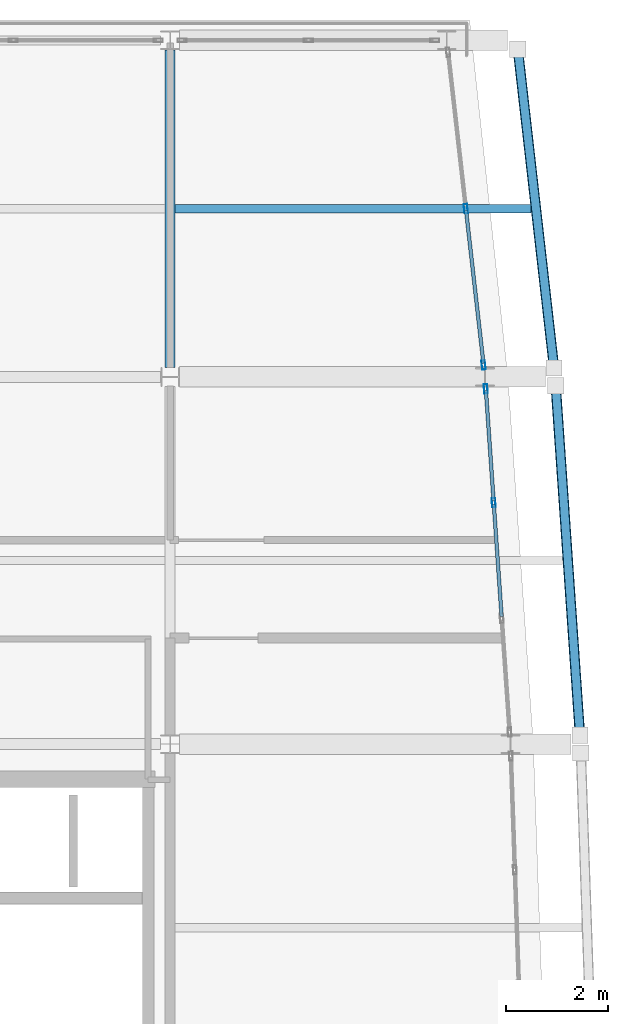
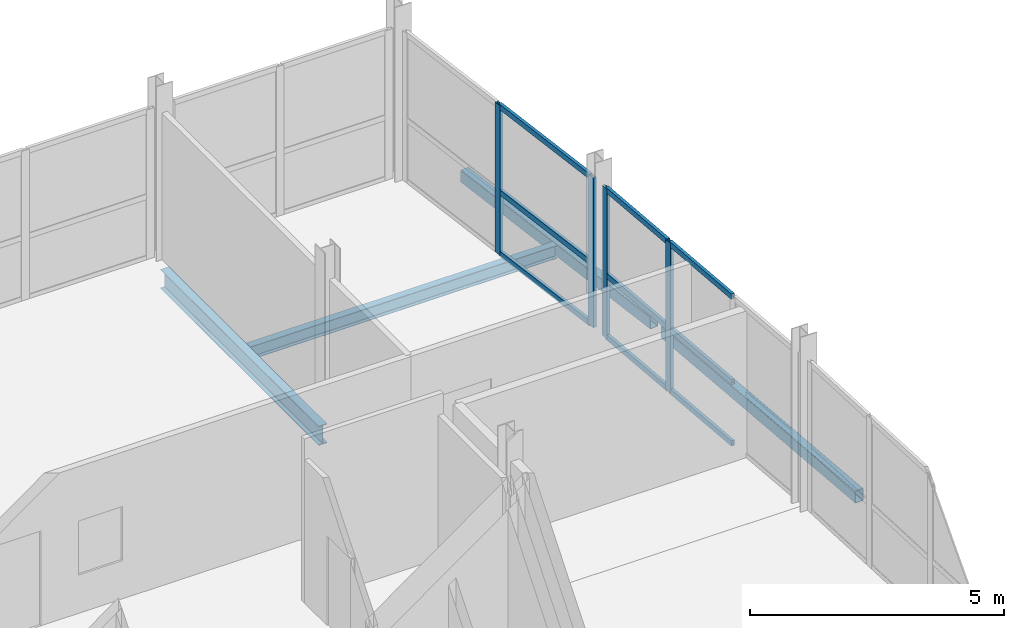
# One storey, part 9 of 19: 13 members, 4 beams, 2 elements without a shape of their own.
"""IFC4 building model written with IfcOpenShell, lengths in metres."""

from ifc_helpers import new_model, si_unit, direction, frame, origin, origin_2d, place, context, subcontext, project, spatial, hollow_rectangle, i_section, extrude, material, layer, layer_set, material_profile, profile_set, type_object, element, aggregate, save


model = new_model("IFC4")

# Units and contexts
model_context = context("Model", 3, precision=1e-05, world=origin(), true_north=direction((0.0, 1.0)))
body_context = subcontext(model_context, "Body", "Model", "MODEL_VIEW")
ifc_project = project(units=[si_unit("LENGTHUNIT", "METRE"), si_unit("AREAUNIT", "SQUARE_METRE"), si_unit("VOLUMEUNIT", "CUBIC_METRE"), si_unit("PLANEANGLEUNIT", "RADIAN"), si_unit("MASSUNIT", "GRAM", prefix="KILO")], contexts=[model_context])

# Site, building, storey
site_placement = place(None, origin())
site = spatial("IfcSite", under=ifc_project, at=site_placement, CompositionType="ELEMENT")
building_placement = place(site_placement, origin())
building = spatial("IfcBuilding", under=site, at=building_placement, Name="Quillay Park Conservatory", CompositionType="ELEMENT")
storey_placement = place(building_placement, frame((0.0, 0.0, 35.10009765625)))
storey = spatial("IfcBuildingStorey", under=building, at=storey_placement, Name="L08", CompositionType="ELEMENT", Elevation=35.10009765625)

# Beam
ifc_material_1 = material(Name="Steel ASTM A992 Grade 50", Category="steel")
ifc_material_profile_1 = material_profile(ifc_material_1, i_section(OverallWidth=0.166015625, OverallDepth=0.31298828125, WebThickness=0.006591796875, FlangeThickness=0.01123046875, FilletRadius=0.010009765625, at=origin_2d()), Name="W310x45")
ifc_profile_set_1 = profile_set([ifc_material_profile_1], Name="Steel ASTM A992 Grade 50")
beam_type_1 = type_object("IfcBeamType", Name="COMPOSITE FLOOR JOIST W310 X45", PredefinedType="JOIST", material=ifc_profile_set_1)
beam_1_placement = place(storey_placement, frame((19.845947265625, 110.10009765625, -0.37158203125), z_axis=(1.0, 0.0, 0.0), x_axis=(0.0, 1.0, 0.0)))
element("IfcBeam", 1, at=beam_1_placement, inside=storey, type_object=beam_type_1, Name="L08 beam BM-J-0650", PredefinedType="JOIST", context=body_context, shape_type="SweptSolid", body=[
    extrude(i_section(OverallWidth=0.166015625, OverallDepth=0.31298828125, WebThickness=0.006591796875, FlangeThickness=0.01123046875, FilletRadius=0.010009765625, at=origin_2d()), origin(), (0.0, 0.0, 1.0), 6.97900390625),
])

# Curtain wall, members
ifc_material_2 = material(Name="Thermally Broken Anodised Aluminium 6063-T6", Category="aluminium")
ifc_layer = layer(ifc_material_2, 0.179931640625)
ifc_layer_set = layer_set([ifc_layer], Name="UNITISED CURTAIN WALL TOWER (Thermally Broken Anodised Aluminium 6063-T6)")
curtain_wall_type = type_object("IfcCurtainWallType", Name="UNITISED CURTAIN WALL TOWER", PredefinedType="USERDEFINED", material=ifc_layer_set)
curtain_wall_1_placement = place(storey_placement, origin())
curtain_wall_1 = element("IfcCurtainWall", 2, at=curtain_wall_1_placement, inside=storey, type_object=curtain_wall_type, Name="L08 Unitised Curtain Wall 082", ObjectType="UNITISED CURTAIN WALL", PredefinedType="USERDEFINED")
ifc_material_3 = material(Name="Thermally Broken Anodised Aluminium 6063-T6", Category="aluminium")
ifc_material_profile_2 = material_profile(ifc_material_3, hollow_rectangle(XDim=0.070068359375, YDim=0.179931640625, WallThickness=0.00390625, at=origin_2d()), Name="AL70x180x4")
ifc_profile_set_2 = profile_set([ifc_material_profile_2], Name="Thermally Broken Anodised Aluminium 6063-T6")
member_type_1 = type_object("IfcMemberType", Name="CURTAIN WALL MULLION 70 X180", PredefinedType="MULLION", material=ifc_profile_set_2)
member_1_placement = place(storey_placement, frame((25.94140625, 106.565673828125, 0.0), z_axis=(0.0, 0.0, 1.0), x_axis=(0.99759835015, 0.069264217159, 0.0)))
member_1 = element("IfcMember", 3, at=member_1_placement, type_object=member_type_1, Name="CW-T1 mullion 1", PredefinedType="MULLION", context=body_context, shape_type="SweptSolid", body=[
    extrude(hollow_rectangle(XDim=0.070068359375, YDim=0.179931640625, WallThickness=0.00390625, at=origin_2d()), origin(), (0.0, 0.0, 1.0), 3.598876953125),
])
member_2_placement = place(storey_placement, frame((26.09619140625, 104.33349609375, 0.0), z_axis=(0.0, 0.0, 1.0), x_axis=(0.99759835015, 0.069264217159, 0.0)))
member_2 = element("IfcMember", 4, at=member_2_placement, type_object=member_type_1, Name="CW-T1 mullion 2", PredefinedType="MULLION", context=body_context, shape_type="SweptSolid", body=[
    extrude(hollow_rectangle(XDim=0.070068359375, YDim=0.179931640625, WallThickness=0.00390625, at=origin_2d()), origin(), (0.0, 0.0, 1.0), 3.598876953125),
])

curtain_wall_2_placement = place(storey_placement, origin())
curtain_wall_2 = element("IfcCurtainWall", 5, at=curtain_wall_2_placement, inside=storey, type_object=curtain_wall_type, Name="L08 Unitised Curtain Wall 083", ObjectType="UNITISED CURTAIN WALL", PredefinedType="USERDEFINED")
member_3_placement = place(storey_placement, frame((25.550048828125, 110.10009765625, 0.0), z_axis=(0.0, 0.0, 1.0), x_axis=(0.993605989969, 0.112903218278, 0.0)))
member_3 = element("IfcMember", 6, at=member_3_placement, type_object=member_type_1, Name="CW-T1 mullion 2", PredefinedType="MULLION", context=body_context, shape_type="SweptSolid", body=[
    extrude(hollow_rectangle(XDim=0.070068359375, YDim=0.179931640625, WallThickness=0.00390625, at=origin_2d()), origin(), (0.0, 0.0, 1.0), 3.598876953125),
])
member_4_placement = place(storey_placement, frame((25.8984375, 107.033447265625, 0.0), z_axis=(0.0, 0.0, 1.0), x_axis=(0.993605989969, 0.112903218278, 0.0)))
member_4 = element("IfcMember", 7, at=member_4_placement, type_object=member_type_1, Name="CW-T1 mullion 3", PredefinedType="MULLION", context=body_context, shape_type="SweptSolid", body=[
    extrude(hollow_rectangle(XDim=0.070068359375, YDim=0.179931640625, WallThickness=0.00390625, at=origin_2d()), origin(), (0.0, 0.0, 1.0), 3.598876953125),
])

# Member
ifc_material_4 = material(Name="Thermally Broken Anodised Aluminium 6063-T6", Category="aluminium")
ifc_material_profile_3 = material_profile(ifc_material_4, hollow_rectangle(XDim=0.070068359375, YDim=0.1298828125, WallThickness=0.003173828125, at=origin_2d()), Name="AL70x130x3.2")
ifc_profile_set_3 = profile_set([ifc_material_profile_3], Name="Thermally Broken Anodised Aluminium 6063-T6")
member_type_2 = type_object("IfcMemberType", Name="CURTAIN WALL TRANSOM 70 X130", PredefinedType="USERDEFINED", material=ifc_profile_set_3)
member_5_placement = place(storey_placement, frame((25.94384765625, 106.53076171875, 0.034912109375), z_axis=(0.069269814421, -0.997597961511, 0.0), x_axis=(0.997597961511, 0.069269814421, 0.0)))
member_5 = element("IfcMember", 8, at=member_5_placement, type_object=member_type_2, Name="CW-T1 transom 1.1", ObjectType="TRANSOM", PredefinedType="USERDEFINED", context=body_context, shape_type="SweptSolid", body=[
    extrude(hollow_rectangle(XDim=0.070068359375, YDim=0.1298828125, WallThickness=0.003173828125, at=origin_2d()), origin(), (0.0, 0.0, 1.0), 2.16748046875),
])

member_6_placement = place(storey_placement, frame((25.94384765625, 106.53076171875, 1.511474609375), z_axis=(0.069269814421, -0.997597961511, 0.0), x_axis=(0.997597961511, 0.069269814421, 0.0)))
member_6 = element("IfcMember", 9, at=member_6_placement, type_object=member_type_2, Name="CW-T1 transom 1.2", ObjectType="TRANSOM", PredefinedType="USERDEFINED", context=body_context, shape_type="SweptSolid", body=[
    extrude(hollow_rectangle(XDim=0.070068359375, YDim=0.1298828125, WallThickness=0.003173828125, at=origin_2d()), origin(), (0.0, 0.0, 1.0), 2.16748046875),
])

member_7_placement = place(storey_placement, frame((25.94384765625, 106.53076171875, 3.56396484375), z_axis=(0.069269814421, -0.997597961511, 0.0), x_axis=(0.997597961511, 0.069269814421, 0.0)))
member_7 = element("IfcMember", 10, at=member_7_placement, type_object=member_type_2, Name="CW-T1 transom 1.3", ObjectType="TRANSOM", PredefinedType="USERDEFINED", context=body_context, shape_type="SweptSolid", body=[
    extrude(hollow_rectangle(XDim=0.070068359375, YDim=0.1298828125, WallThickness=0.003173828125, at=origin_2d()), origin(), (0.0, 0.0, 1.0), 2.16748046875),
])

member_8_placement = place(storey_placement, frame((26.0986328125, 104.298583984375, 0.034912109375), z_axis=(0.069277598678, -0.997597420968, 0.0), x_axis=(0.997597420968, 0.069277598678, 0.0)))
member_8 = element("IfcMember", 11, at=member_8_placement, type_object=member_type_2, Name="CW-T1 transom 2.1", ObjectType="TRANSOM", PredefinedType="USERDEFINED", context=body_context, shape_type="SweptSolid", body=[
    extrude(hollow_rectangle(XDim=0.070068359375, YDim=0.1298828125, WallThickness=0.003173828125, at=origin_2d()), origin(), (0.0, 0.0, 1.0), 2.20263671875),
])

member_9_placement = place(storey_placement, frame((26.0986328125, 104.298583984375, 1.511474609375), z_axis=(0.069277598678, -0.997597420968, 0.0), x_axis=(0.997597420968, 0.069277598678, 0.0)))
member_9 = element("IfcMember", 12, at=member_9_placement, type_object=member_type_2, Name="CW-T1 transom 2.2", ObjectType="TRANSOM", PredefinedType="USERDEFINED", context=body_context, shape_type="SweptSolid", body=[
    extrude(hollow_rectangle(XDim=0.070068359375, YDim=0.1298828125, WallThickness=0.003173828125, at=origin_2d()), origin(), (0.0, 0.0, 1.0), 2.20263671875),
])

member_10_placement = place(storey_placement, frame((26.0986328125, 104.298583984375, 3.56396484375), z_axis=(0.069277598678, -0.997597420968, 0.0), x_axis=(0.997597420968, 0.069277598678, 0.0)))
member_10 = element("IfcMember", 13, at=member_10_placement, type_object=member_type_2, Name="CW-T1 transom 2.3", ObjectType="TRANSOM", PredefinedType="USERDEFINED", context=body_context, shape_type="SweptSolid", body=[
    extrude(hollow_rectangle(XDim=0.070068359375, YDim=0.1298828125, WallThickness=0.003173828125, at=origin_2d()), origin(), (0.0, 0.0, 1.0), 2.20263671875),
])

aggregate(curtain_wall_1, [member_1, member_2, member_5, member_6, member_7, member_8, member_9, member_10])

member_11_placement = place(storey_placement, frame((25.553955078125, 110.065185546875, 0.034912109375), z_axis=(0.112918769109, -0.993604222808, 0.0), x_axis=(0.993604222808, 0.112918769109, 0.0)))
member_11 = element("IfcMember", 14, at=member_11_placement, type_object=member_type_2, Name="CW-T1 transom 2.1", ObjectType="TRANSOM", PredefinedType="USERDEFINED", context=body_context, shape_type="SweptSolid", body=[
    extrude(hollow_rectangle(XDim=0.070068359375, YDim=0.1298828125, WallThickness=0.003173828125, at=origin_2d()), origin(), (0.0, 0.0, 1.0), 3.01611328125),
])

member_12_placement = place(storey_placement, frame((25.553955078125, 110.065185546875, 1.511474609375), z_axis=(0.112918769109, -0.993604222808, 0.0), x_axis=(0.993604222808, 0.112918769109, 0.0)))
member_12 = element("IfcMember", 15, at=member_12_placement, type_object=member_type_2, Name="CW-T1 transom 2.2", ObjectType="TRANSOM", PredefinedType="USERDEFINED", context=body_context, shape_type="SweptSolid", body=[
    extrude(hollow_rectangle(XDim=0.070068359375, YDim=0.1298828125, WallThickness=0.003173828125, at=origin_2d()), origin(), (0.0, 0.0, 1.0), 3.01611328125),
])

member_13_placement = place(storey_placement, frame((25.553955078125, 110.065185546875, 3.56396484375), z_axis=(0.112918769109, -0.993604222808, 0.0), x_axis=(0.993604222808, 0.112918769109, 0.0)))
member_13 = element("IfcMember", 16, at=member_13_placement, type_object=member_type_2, Name="CW-T1 transom 2.3", ObjectType="TRANSOM", PredefinedType="USERDEFINED", context=body_context, shape_type="SweptSolid", body=[
    extrude(hollow_rectangle(XDim=0.070068359375, YDim=0.1298828125, WallThickness=0.003173828125, at=origin_2d()), origin(), (0.0, 0.0, 1.0), 3.01611328125),
])

aggregate(curtain_wall_2, [member_3, member_4, member_11, member_12, member_13])

# Beams
ifc_material_5 = material(Name="Steel S355J2H", Category="steel")
ifc_material_profile_4 = material_profile(ifc_material_5, hollow_rectangle(XDim=0.199951171875, YDim=0.300048828125, WallThickness=0.012451171875, InnerFilletRadius=0.012451171875, OuterFilletRadius=0.02490234375, at=origin_2d()), Name="RHS300x200x12.5")
ifc_profile_set_4 = profile_set([ifc_material_profile_4], Name="Steel S355J2H")
beam_type_2 = type_object("IfcBeamType", Name="PERIMETER SPANDREL BEAM RHS300", PredefinedType="SPANDREL", material=ifc_profile_set_4)
beam_2_placement = place(storey_placement, frame((27.787109375, 99.78564453125, -0.364990234375), z_axis=(-0.069262316409, 0.997598482119, 0.0), x_axis=(-0.997598482119, -0.069262316409, 0.0)))
element("IfcBeam", 17, at=beam_2_placement, inside=storey, type_object=beam_type_2, Name="L08 beam BM-SPE-0639", PredefinedType="SPANDREL", context=body_context, shape_type="SweptSolid", body=[
    extrude(hollow_rectangle(XDim=0.199951171875, YDim=0.300048828125, WallThickness=0.012451171875, InnerFilletRadius=0.012451171875, OuterFilletRadius=0.02490234375, at=origin_2d()), origin(), (0.0, 0.0, 1.0), 6.84521484375),
])
beam_3_placement = place(storey_placement, frame((27.279052734375, 106.98486328125, -0.364990234375), z_axis=(-0.112914056169, 0.993604758402, 0.0), x_axis=(-0.993604758402, -0.112914056169, 0.0)))
element("IfcBeam", 18, at=beam_3_placement, inside=storey, type_object=beam_type_2, Name="L08 beam BM-SPE-0646", PredefinedType="SPANDREL", context=body_context, shape_type="SweptSolid", body=[
    extrude(hollow_rectangle(XDim=0.199951171875, YDim=0.300048828125, WallThickness=0.012451171875, InnerFilletRadius=0.012451171875, OuterFilletRadius=0.02490234375, at=origin_2d()), origin(), (0.0, 0.0, 1.0), 6.270263671875),
])
ifc_material_6 = material(Name="Steel ASTM A992 Grade 50", Category="steel")
ifc_material_profile_5 = material_profile(ifc_material_6, i_section(OverallWidth=0.19189453125, OverallDepth=0.462890625, WebThickness=0.010498046875, FlangeThickness=0.017578125, FilletRadius=0.012939453125, at=origin_2d()), Name="W460x89")
ifc_profile_set_5 = profile_set([ifc_material_profile_5], Name="Steel ASTM A992 Grade 50")
beam_type_3 = type_object("IfcBeamType", Name="PRIMARY FLOOR GIRDER W460 X89", PredefinedType="BEAM", material=ifc_profile_set_5)
beam_4_placement = place(storey_placement, frame((19.75, 106.986083984375, -0.446533203125), z_axis=(0.0, 1.0, 0.0), x_axis=(-1.0, 0.0, 0.0)))
element("IfcBeam", 19, at=beam_4_placement, inside=storey, type_object=beam_type_3, Name="L08 beam BM-GNS-0648", PredefinedType="BEAM", context=body_context, shape_type="SweptSolid", body=[
    extrude(i_section(OverallWidth=0.19189453125, OverallDepth=0.462890625, WebThickness=0.010498046875, FlangeThickness=0.017578125, FilletRadius=0.012939453125, at=origin_2d()), origin(), (0.0, 0.0, 1.0), 6.226806640625),
])

save(model, "model.ifc")
